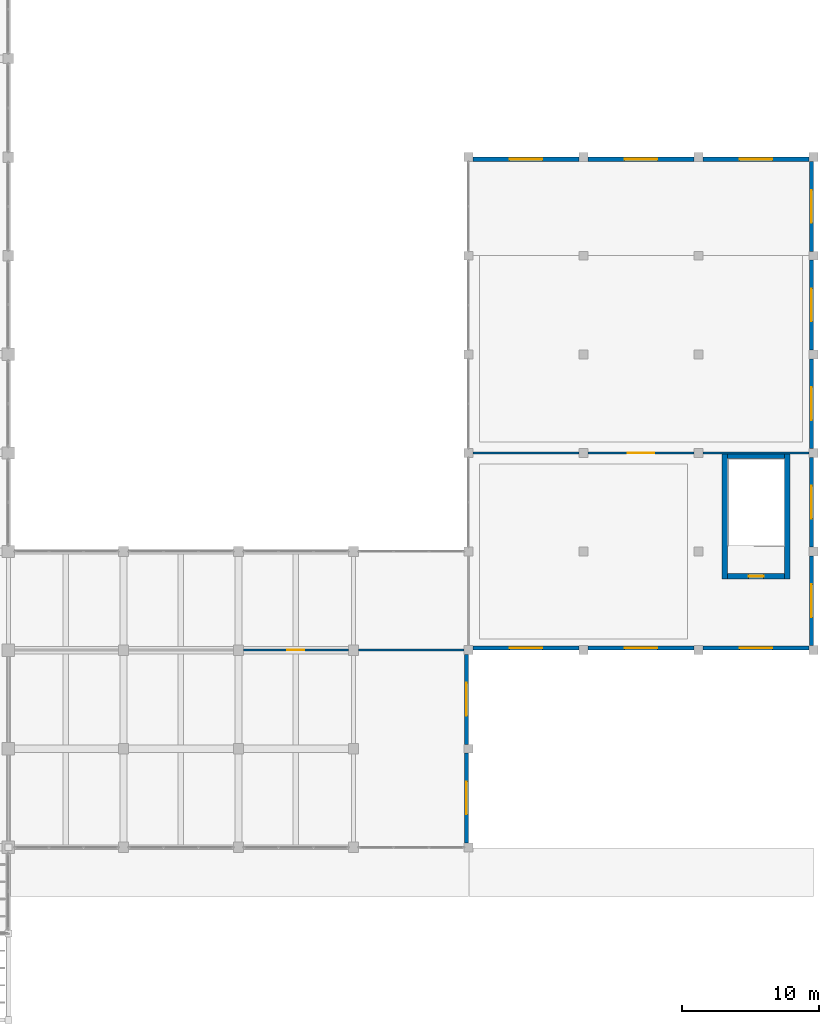
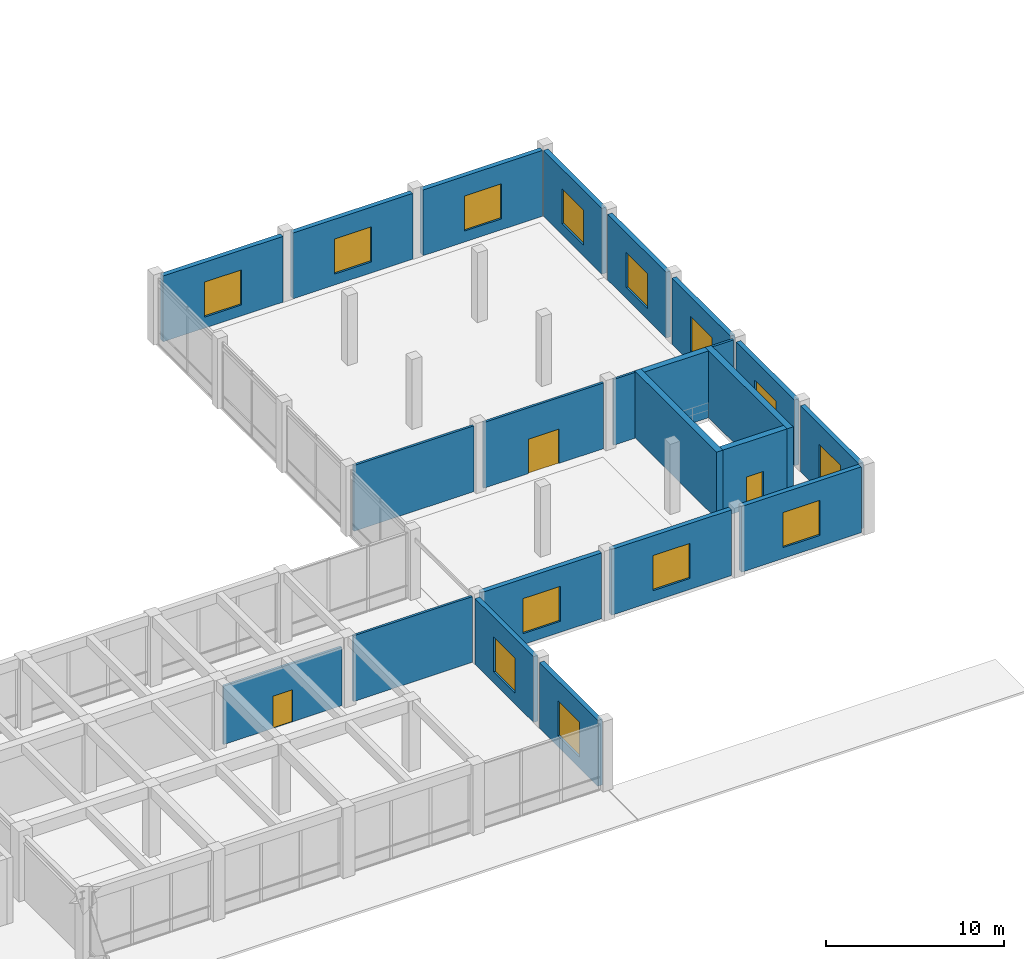
# One storey, part 40 of 52: 22 walls, 13 windows, 3 doors, 16 openings.
"""IFC4 building model written with IfcOpenShell, lengths in metres."""

from ifc_helpers import new_model, si_unit, direction, frame, frame_2d, origin, place, context, subcontext, project, spatial, rectangle, extrude, material, layer, layer_set, type_object, element, fill, save


model = new_model("IFC4")

# Units and contexts
model_context = context("Model", 3, precision=1e-05, world=origin(), true_north=direction((0.0, 1.0)))
body_context = subcontext(model_context, "Body", "Model", "MODEL_VIEW")
ifc_project = project(units=[si_unit("LENGTHUNIT", "METRE"), si_unit("AREAUNIT", "SQUARE_METRE"), si_unit("VOLUMEUNIT", "CUBIC_METRE"), si_unit("PLANEANGLEUNIT", "RADIAN"), si_unit("MASSUNIT", "GRAM", prefix="KILO")], contexts=[model_context])

# Site, building, storey
site_placement = place(None, origin())
site = spatial("IfcSite", under=ifc_project, at=site_placement, CompositionType="ELEMENT")
building_placement = place(site_placement, origin())
building = spatial("IfcBuilding", under=site, at=building_placement, Name="Kenerak Square Central Library", CompositionType="ELEMENT")
storey_placement = place(building_placement, frame((0.0, 0.0, 4.800048828125)))
storey = spatial("IfcBuildingStorey", under=building, at=storey_placement, Name="L01", CompositionType="ELEMENT", Elevation=4.800048828125)

# Wall, opening, door
ifc_material_1 = material(Name="Precast concrete C40/50", Category="concrete")
ifc_layer_1 = layer(ifc_material_1, 0.14990234375)
ifc_layer_set_1 = layer_set([ifc_layer_1], Name="Precast concrete C40/50")
wall_type_1 = type_object("IfcWallType", Name="Acoustic Blockwork Partition IW-150 C40/50", PredefinedType="PARTITIONING", material=ifc_layer_set_1)
wall_1_placement = place(storey_placement, frame((134.375, 31.199951171875, 0.0), z_axis=(0.0, 0.0, 1.0), x_axis=(1.0, 0.0, 0.0)))
wall_1 = element("IfcWall", 1, at=wall_1_placement, inside=storey, type_object=wall_type_1, Name="Interior Wall IW-L01-04-N2-B3", PredefinedType="PARTITIONING", context=body_context, shape_type="SweptSolid", body=[
    extrude(rectangle(XDim=7.64990234375, YDim=0.14990234375, at=frame_2d((3.824951171875, 0.0))), origin(), (0.0, 0.0, 1.0), 4.0),
])
opening_1_placement = place(wall_1_placement, frame((3.199951171875, 0.0, 0.0)))
opening_1 = element("IfcOpeningElement", 2, at=opening_1_placement, cuts=wall_1, Name="Opening ID-06", PredefinedType="OPENING", context=body_context, shape_type="SweptSolid", body=[
    extrude(rectangle(XDim=1.25, YDim=2.199951171875, at=frame_2d((0.625, 1.10009765625))), frame((0.0, 0.0849609375, 0.0), z_axis=(0.0, -1.0, 0.0), x_axis=(1.0, 0.0, 0.0)), (0.0, 0.0, 1.0), 0.169921875),
])
ifc_material_2 = material(Name="Chengal hardwood timber SG1", Category="wood")
door_type_1 = type_object("IfcDoorType", Name="Studio Sliding Acoustic Door ID-1250x2200", OperationType="NOTDEFINED", PredefinedType="DOOR", material=ifc_material_2)
door_1_placement = place(opening_1_placement, origin())
door_1 = element("IfcDoor", 3, at=door_1_placement, inside=storey, type_object=door_type_1, Name="Digital Maker and Fabrication Studio Door", OperationType="SLIDING_TO_LEFT", OverallHeight=2.199951171875, OverallWidth=1.25, PredefinedType="DOOR", context=body_context, shape_type="SweptSolid", body=[
    extrude(rectangle(XDim=1.25, YDim=2.199951171875, at=frame_2d((0.625, 1.10009765625))), frame((0.0, 0.02490234375, 0.0), z_axis=(0.0, -1.0, 0.0), x_axis=(1.0, 0.0, 0.0)), (0.0, 0.0, 1.0), 0.050048828125),
])
fill(opening_1, door_1)

# Walls
wall_2_placement = place(storey_placement, frame((142.77490234375, 31.199951171875, 0.0), z_axis=(0.0, 0.0, 1.0), x_axis=(1.0, 0.0, 0.0)))
element("IfcWall", 4, at=wall_2_placement, inside=storey, type_object=wall_type_1, Name="Interior Wall IW-L01-04-N2-B4", PredefinedType="PARTITIONING", context=body_context, shape_type="SweptSolid", body=[
    extrude(rectangle(XDim=7.7001953125, YDim=0.14990234375, at=frame_2d((3.85009765625, 0.0))), origin(), (0.0, 0.0, 1.0), 4.5),
])
wall_3_placement = place(storey_placement, frame((175.675048828125, 45.60009765625, 0.0), z_axis=(0.0, 0.0, 1.0), x_axis=(-1.0, 0.0, 0.0)))
element("IfcWall", 5, at=wall_3_placement, inside=storey, type_object=wall_type_1, Name="Interior Wall IW-L01-07-S1-B1", PredefinedType="PARTITIONING", context=body_context, shape_type="SweptSolid", body=[
    extrude(rectangle(XDim=7.75, YDim=0.14990234375, at=frame_2d((3.875, 0.0))), origin(), (0.0, 0.0, 1.0), 4.5),
])

# Wall, opening, door
wall_4_placement = place(storey_placement, frame((167.27490234375, 45.60009765625, 0.0), z_axis=(0.0, 0.0, 1.0), x_axis=(-1.0, 0.0, 0.0)))
wall_4 = element("IfcWall", 6, at=wall_4_placement, inside=storey, type_object=wall_type_1, Name="Interior Wall IW-L01-07-S1-B2", PredefinedType="PARTITIONING", context=body_context, shape_type="SweptSolid", body=[
    extrude(rectangle(XDim=7.75, YDim=0.14990234375, at=frame_2d((3.875, 0.0))), origin(), (0.0, 0.0, 1.0), 4.5),
])
opening_2_placement = place(wall_4_placement, frame((2.89990234375, 0.0, 0.0)))
opening_2 = element("IfcOpeningElement", 7, at=opening_2_placement, cuts=wall_4, Name="Opening ID-12", PredefinedType="OPENING", context=body_context, shape_type="SweptSolid", body=[
    extrude(rectangle(XDim=1.949951171875, YDim=2.35009765625, at=frame_2d((0.97509765625, 1.175048828125))), frame((0.0, 0.0849609375, 0.0), z_axis=(0.0, -1.0, 0.0), x_axis=(1.0, 0.0, 0.0)), (0.0, 0.0, 1.0), 0.169921875),
])
door_type_2 = type_object("IfcDoorType", Name="Children Hall Double Timber Door ID-1950x2350", OperationType="NOTDEFINED", PredefinedType="DOOR", material=ifc_material_2)
door_2_placement = place(opening_2_placement, origin())
door_2 = element("IfcDoor", 8, at=door_2_placement, inside=storey, type_object=door_type_2, Name="Children Storytelling Amphitheatre and Picture-Book Hall Door", OperationType="DOUBLE_DOOR_SINGLE_SWING", OverallHeight=2.35009765625, OverallWidth=1.949951171875, PredefinedType="DOOR", context=body_context, shape_type="SweptSolid", body=[
    extrude(rectangle(XDim=1.949951171875, YDim=2.35009765625, at=frame_2d((0.97509765625, 1.175048828125))), frame((0.0, 0.02490234375, 0.0), z_axis=(0.0, -1.0, 0.0), x_axis=(1.0, 0.0, 0.0)), (0.0, 0.0, 1.0), 0.050048828125),
])
fill(opening_2, door_2)

# Wall
wall_5_placement = place(storey_placement, frame((158.875, 45.60009765625, 0.0), z_axis=(0.0, 0.0, 1.0), x_axis=(-1.0, 0.0, 0.0)))
element("IfcWall", 9, at=wall_5_placement, inside=storey, type_object=wall_type_1, Name="Interior Wall IW-L01-07-S1-B3", PredefinedType="PARTITIONING", context=body_context, shape_type="SweptSolid", body=[
    extrude(rectangle(XDim=7.75, YDim=0.14990234375, at=frame_2d((3.875, 0.0))), origin(), (0.0, 0.0, 1.0), 4.5),
])

# Wall, opening, window
ifc_material_3 = material(Name="Concrete C40/50", Category="concrete")
ifc_layer_2 = layer(ifc_material_3, 0.300048828125)
ifc_layer_set_2 = layer_set([ifc_layer_2], Name="Concrete C40/50")
wall_type_2 = type_object("IfcWallType", Name="Board-Marked Brutalist Facade Wall EW-300 C40/50", PredefinedType="SOLIDWALL", material=ifc_layer_set_2)
wall_6_placement = place(storey_placement, frame((151.125, 67.050048828125, 0.0), z_axis=(0.0, 0.0, 1.0), x_axis=(1.0, 0.0, 0.0)))
wall_6 = element("IfcWall", 10, at=wall_6_placement, inside=storey, type_object=wall_type_2, Name="Exterior Facade Wall L01 0129", PredefinedType="SOLIDWALL", context=body_context, shape_type="SweptSolid", body=[
    extrude(rectangle(XDim=7.75, YDim=0.300048828125, at=frame_2d((3.875, 0.0))), origin(), (0.0, 0.0, 1.0), 4.5),
])
opening_3_placement = place(wall_6_placement, frame((2.675048828125, 0.0, 0.75)))
opening_3 = element("IfcOpeningElement", 11, at=opening_3_placement, cuts=wall_6, Name="Opening W-13", PredefinedType="OPENING", context=body_context, shape_type="SweptSolid", body=[
    extrude(rectangle(XDim=2.39990234375, YDim=2.39990234375, at=frame_2d((1.199951171875, 1.199951171875))), frame((0.0, 0.159912109375, 0.0), z_axis=(0.0, -1.0, 0.0), x_axis=(1.0, 0.0, 0.0)), (0.0, 0.0, 1.0), 0.320068359375),
])
ifc_material_4 = material(Name="Solar-control low-E laminated double glazing", Category="glass")
window_type = type_object("IfcWindowType", Name="Courtyard Square Window W-13 2400x2400", PartitioningType="SINGLE_PANEL", PredefinedType="WINDOW", material=ifc_material_4)
window_1_placement = place(opening_3_placement, origin())
window_1 = element("IfcWindow", 12, at=window_1_placement, inside=storey, type_object=window_type, Name="Window W-13 L01 0118", OverallHeight=2.39990234375, OverallWidth=2.39990234375, PartitioningType="SINGLE_PANEL", PredefinedType="WINDOW", context=body_context, shape_type="SweptSolid", body=[
    extrude(rectangle(XDim=2.39990234375, YDim=2.39990234375, at=frame_2d((1.199951171875, 1.199951171875))), frame((0.0, 0.030029296875, 0.0), z_axis=(0.0, -1.0, 0.0), x_axis=(1.0, 0.0, 0.0)), (0.0, 0.0, 1.0), 0.06005859375),
])
fill(opening_3, window_1)

wall_7_placement = place(storey_placement, frame((159.52490234375, 67.050048828125, 0.0), z_axis=(0.0, 0.0, 1.0), x_axis=(1.0, 0.0, 0.0)))
wall_7 = element("IfcWall", 13, at=wall_7_placement, inside=storey, type_object=wall_type_2, Name="Exterior Facade Wall L01 0130", PredefinedType="SOLIDWALL", context=body_context, shape_type="SweptSolid", body=[
    extrude(rectangle(XDim=7.75, YDim=0.300048828125, at=frame_2d((3.875, 0.0))), origin(), (0.0, 0.0, 1.0), 4.5),
])
opening_4_placement = place(wall_7_placement, frame((2.675048828125, 0.0, 0.75)))
opening_4 = element("IfcOpeningElement", 14, at=opening_4_placement, cuts=wall_7, Name="Opening W-13", PredefinedType="OPENING", context=body_context, shape_type="SweptSolid", body=[
    extrude(rectangle(XDim=2.39990234375, YDim=2.39990234375, at=frame_2d((1.199951171875, 1.199951171875))), frame((0.0, 0.159912109375, 0.0), z_axis=(0.0, -1.0, 0.0), x_axis=(1.0, 0.0, 0.0)), (0.0, 0.0, 1.0), 0.320068359375),
])
window_2_placement = place(opening_4_placement, origin())
window_2 = element("IfcWindow", 15, at=window_2_placement, inside=storey, type_object=window_type, Name="Window W-13 L01 0119", OverallHeight=2.39990234375, OverallWidth=2.39990234375, PartitioningType="SINGLE_PANEL", PredefinedType="WINDOW", context=body_context, shape_type="SweptSolid", body=[
    extrude(rectangle(XDim=2.39990234375, YDim=2.39990234375, at=frame_2d((1.199951171875, 1.199951171875))), frame((0.0, 0.030029296875, 0.0), z_axis=(0.0, -1.0, 0.0), x_axis=(1.0, 0.0, 0.0)), (0.0, 0.0, 1.0), 0.06005859375),
])
fill(opening_4, window_2)

wall_8_placement = place(storey_placement, frame((167.925048828125, 67.050048828125, 0.0), z_axis=(0.0, 0.0, 1.0), x_axis=(1.0, 0.0, 0.0)))
wall_8 = element("IfcWall", 16, at=wall_8_placement, inside=storey, type_object=wall_type_2, Name="Exterior Facade Wall L01 0131", PredefinedType="SOLIDWALL", context=body_context, shape_type="SweptSolid", body=[
    extrude(rectangle(XDim=7.75, YDim=0.300048828125, at=frame_2d((3.875, 0.0))), origin(), (0.0, 0.0, 1.0), 4.5),
])
opening_5_placement = place(wall_8_placement, frame((2.675048828125, 0.0, 0.75)))
opening_5 = element("IfcOpeningElement", 17, at=opening_5_placement, cuts=wall_8, Name="Opening W-13", PredefinedType="OPENING", context=body_context, shape_type="SweptSolid", body=[
    extrude(rectangle(XDim=2.39990234375, YDim=2.39990234375, at=frame_2d((1.199951171875, 1.199951171875))), frame((0.0, 0.159912109375, 0.0), z_axis=(0.0, -1.0, 0.0), x_axis=(1.0, 0.0, 0.0)), (0.0, 0.0, 1.0), 0.320068359375),
])
window_3_placement = place(opening_5_placement, origin())
window_3 = element("IfcWindow", 18, at=window_3_placement, inside=storey, type_object=window_type, Name="Window W-13 L01 0120", OverallHeight=2.39990234375, OverallWidth=2.39990234375, PartitioningType="SINGLE_PANEL", PredefinedType="WINDOW", context=body_context, shape_type="SweptSolid", body=[
    extrude(rectangle(XDim=2.39990234375, YDim=2.39990234375, at=frame_2d((1.199951171875, 1.199951171875))), frame((0.0, 0.030029296875, 0.0), z_axis=(0.0, -1.0, 0.0), x_axis=(1.0, 0.0, 0.0)), (0.0, 0.0, 1.0), 0.06005859375),
])
fill(opening_5, window_3)

wall_9_placement = place(storey_placement, frame((175.85009765625, 66.875, 0.0), z_axis=(0.0, 0.0, 1.0), x_axis=(0.0, -1.0, 0.0)))
wall_9 = element("IfcWall", 19, at=wall_9_placement, inside=storey, type_object=wall_type_2, Name="Exterior Facade Wall L01 0132", PredefinedType="SOLIDWALL", context=body_context, shape_type="SweptSolid", body=[
    extrude(rectangle(XDim=6.550048828125, YDim=0.300048828125, at=frame_2d((3.27490234375, 0.0))), origin(), (0.0, 0.0, 1.0), 4.5),
])
opening_6_placement = place(wall_9_placement, frame((2.074951171875, 0.0, 0.75)))
opening_6 = element("IfcOpeningElement", 20, at=opening_6_placement, cuts=wall_9, Name="Opening W-13", PredefinedType="OPENING", context=body_context, shape_type="SweptSolid", body=[
    extrude(rectangle(XDim=2.39990234375, YDim=2.39990234375, at=frame_2d((1.199951171875, 1.199951171875))), frame((0.0, 0.159912109375, 0.0), z_axis=(0.0, -1.0, 0.0), x_axis=(1.0, 0.0, 0.0)), (0.0, 0.0, 1.0), 0.320068359375),
])
window_4_placement = place(opening_6_placement, origin())
window_4 = element("IfcWindow", 21, at=window_4_placement, inside=storey, type_object=window_type, Name="Window W-13 L01 0121", OverallHeight=2.39990234375, OverallWidth=2.39990234375, PartitioningType="SINGLE_PANEL", PredefinedType="WINDOW", context=body_context, shape_type="SweptSolid", body=[
    extrude(rectangle(XDim=2.39990234375, YDim=2.39990234375, at=frame_2d((1.199951171875, 1.199951171875))), frame((0.0, 0.030029296875, 0.0), z_axis=(0.0, -1.0, 0.0), x_axis=(1.0, 0.0, 0.0)), (0.0, 0.0, 1.0), 0.06005859375),
])
fill(opening_6, window_4)

wall_10_placement = place(storey_placement, frame((175.85009765625, 59.675048828125, 0.0), z_axis=(0.0, 0.0, 1.0), x_axis=(0.0, -1.0, 0.0)))
wall_10 = element("IfcWall", 22, at=wall_10_placement, inside=storey, type_object=wall_type_2, Name="Exterior Facade Wall L01 0133", PredefinedType="SOLIDWALL", context=body_context, shape_type="SweptSolid", body=[
    extrude(rectangle(XDim=6.550048828125, YDim=0.300048828125, at=frame_2d((3.27490234375, 0.0))), origin(), (0.0, 0.0, 1.0), 4.5),
])
opening_7_placement = place(wall_10_placement, frame((2.074951171875, 0.0, 0.75)))
opening_7 = element("IfcOpeningElement", 23, at=opening_7_placement, cuts=wall_10, Name="Opening W-13", PredefinedType="OPENING", context=body_context, shape_type="SweptSolid", body=[
    extrude(rectangle(XDim=2.39990234375, YDim=2.39990234375, at=frame_2d((1.199951171875, 1.199951171875))), frame((0.0, 0.159912109375, 0.0), z_axis=(0.0, -1.0, 0.0), x_axis=(1.0, 0.0, 0.0)), (0.0, 0.0, 1.0), 0.320068359375),
])
window_5_placement = place(opening_7_placement, origin())
window_5 = element("IfcWindow", 24, at=window_5_placement, inside=storey, type_object=window_type, Name="Window W-13 L01 0122", OverallHeight=2.39990234375, OverallWidth=2.39990234375, PartitioningType="SINGLE_PANEL", PredefinedType="WINDOW", context=body_context, shape_type="SweptSolid", body=[
    extrude(rectangle(XDim=2.39990234375, YDim=2.39990234375, at=frame_2d((1.199951171875, 1.199951171875))), frame((0.0, 0.030029296875, 0.0), z_axis=(0.0, -1.0, 0.0), x_axis=(1.0, 0.0, 0.0)), (0.0, 0.0, 1.0), 0.06005859375),
])
fill(opening_7, window_5)

wall_11_placement = place(storey_placement, frame((175.85009765625, 52.47509765625, 0.0), z_axis=(0.0, 0.0, 1.0), x_axis=(0.0, -1.0, 0.0)))
wall_11 = element("IfcWall", 25, at=wall_11_placement, inside=storey, type_object=wall_type_2, Name="Exterior Facade Wall L01 0134", PredefinedType="SOLIDWALL", context=body_context, shape_type="SweptSolid", body=[
    extrude(rectangle(XDim=6.550048828125, YDim=0.300048828125, at=frame_2d((3.27490234375, 0.0))), origin(), (0.0, 0.0, 1.0), 4.5),
])
opening_8_placement = place(wall_11_placement, frame((2.074951171875, 0.0, 0.75)))
opening_8 = element("IfcOpeningElement", 26, at=opening_8_placement, cuts=wall_11, Name="Opening W-13", PredefinedType="OPENING", context=body_context, shape_type="SweptSolid", body=[
    extrude(rectangle(XDim=2.39990234375, YDim=2.39990234375, at=frame_2d((1.199951171875, 1.199951171875))), frame((0.0, 0.159912109375, 0.0), z_axis=(0.0, -1.0, 0.0), x_axis=(1.0, 0.0, 0.0)), (0.0, 0.0, 1.0), 0.320068359375),
])
window_6_placement = place(opening_8_placement, origin())
window_6 = element("IfcWindow", 27, at=window_6_placement, inside=storey, type_object=window_type, Name="Window W-13 L01 0123", OverallHeight=2.39990234375, OverallWidth=2.39990234375, PartitioningType="SINGLE_PANEL", PredefinedType="WINDOW", context=body_context, shape_type="SweptSolid", body=[
    extrude(rectangle(XDim=2.39990234375, YDim=2.39990234375, at=frame_2d((1.199951171875, 1.199951171875))), frame((0.0, 0.030029296875, 0.0), z_axis=(0.0, -1.0, 0.0), x_axis=(1.0, 0.0, 0.0)), (0.0, 0.0, 1.0), 0.06005859375),
])
fill(opening_8, window_6)

wall_12_placement = place(storey_placement, frame((175.85009765625, 45.27490234375, 0.0), z_axis=(0.0, 0.0, 1.0), x_axis=(0.0, -1.0, 0.0)))
wall_12 = element("IfcWall", 28, at=wall_12_placement, inside=storey, type_object=wall_type_2, Name="Exterior Facade Wall L01 0135", PredefinedType="SOLIDWALL", context=body_context, shape_type="SweptSolid", body=[
    extrude(rectangle(XDim=6.5498046875, YDim=0.300048828125, at=frame_2d((3.27490234375, 0.0))), origin(), (0.0, 0.0, 1.0), 4.5),
])
opening_9_placement = place(wall_12_placement, frame((2.074951171875, 0.0, 0.75)))
opening_9 = element("IfcOpeningElement", 29, at=opening_9_placement, cuts=wall_12, Name="Opening W-13", PredefinedType="OPENING", context=body_context, shape_type="SweptSolid", body=[
    extrude(rectangle(XDim=2.39990234375, YDim=2.39990234375, at=frame_2d((1.199951171875, 1.199951171875))), frame((0.0, 0.159912109375, 0.0), z_axis=(0.0, -1.0, 0.0), x_axis=(1.0, 0.0, 0.0)), (0.0, 0.0, 1.0), 0.320068359375),
])
window_7_placement = place(opening_9_placement, origin())
window_7 = element("IfcWindow", 30, at=window_7_placement, inside=storey, type_object=window_type, Name="Window W-13 L01 0124", OverallHeight=2.39990234375, OverallWidth=2.39990234375, PartitioningType="SINGLE_PANEL", PredefinedType="WINDOW", context=body_context, shape_type="SweptSolid", body=[
    extrude(rectangle(XDim=2.39990234375, YDim=2.39990234375, at=frame_2d((1.199951171875, 1.199951171875))), frame((0.0, 0.030029296875, 0.0), z_axis=(0.0, -1.0, 0.0), x_axis=(1.0, 0.0, 0.0)), (0.0, 0.0, 1.0), 0.06005859375),
])
fill(opening_9, window_7)

wall_13_placement = place(storey_placement, frame((175.85009765625, 38.074951171875, 0.0), z_axis=(0.0, 0.0, 1.0), x_axis=(0.0, -1.0, 0.0)))
wall_13 = element("IfcWall", 31, at=wall_13_placement, inside=storey, type_object=wall_type_2, Name="Exterior Facade Wall L01 0136", PredefinedType="SOLIDWALL", context=body_context, shape_type="SweptSolid", body=[
    extrude(rectangle(XDim=6.550048828125, YDim=0.300048828125, at=frame_2d((3.27490234375, 0.0))), origin(), (0.0, 0.0, 1.0), 4.5),
])
opening_10_placement = place(wall_13_placement, frame((2.074951171875, 0.0, 0.75)))
opening_10 = element("IfcOpeningElement", 32, at=opening_10_placement, cuts=wall_13, Name="Opening W-13", PredefinedType="OPENING", context=body_context, shape_type="SweptSolid", body=[
    extrude(rectangle(XDim=2.39990234375, YDim=2.39990234375, at=frame_2d((1.199951171875, 1.199951171875))), frame((0.0, 0.159912109375, 0.0), z_axis=(0.0, -1.0, 0.0), x_axis=(1.0, 0.0, 0.0)), (0.0, 0.0, 1.0), 0.320068359375),
])
window_8_placement = place(opening_10_placement, origin())
window_8 = element("IfcWindow", 33, at=window_8_placement, inside=storey, type_object=window_type, Name="Window W-13 L01 0125", OverallHeight=2.39990234375, OverallWidth=2.39990234375, PartitioningType="SINGLE_PANEL", PredefinedType="WINDOW", context=body_context, shape_type="SweptSolid", body=[
    extrude(rectangle(XDim=2.39990234375, YDim=2.39990234375, at=frame_2d((1.199951171875, 1.199951171875))), frame((0.0, 0.030029296875, 0.0), z_axis=(0.0, -1.0, 0.0), x_axis=(1.0, 0.0, 0.0)), (0.0, 0.0, 1.0), 0.06005859375),
])
fill(opening_10, window_8)

wall_14_placement = place(storey_placement, frame((175.675048828125, 31.35009765625, 0.0), z_axis=(0.0, 0.0, 1.0), x_axis=(-1.0, 0.0, 0.0)))
wall_14 = element("IfcWall", 34, at=wall_14_placement, inside=storey, type_object=wall_type_2, Name="Exterior Facade Wall L01 0137", PredefinedType="SOLIDWALL", context=body_context, shape_type="SweptSolid", body=[
    extrude(rectangle(XDim=7.75, YDim=0.300048828125, at=frame_2d((3.875, 0.0))), origin(), (0.0, 0.0, 1.0), 4.5),
])
opening_11_placement = place(wall_14_placement, frame((2.675048828125, 0.0, 0.75)))
opening_11 = element("IfcOpeningElement", 35, at=opening_11_placement, cuts=wall_14, Name="Opening W-13", PredefinedType="OPENING", context=body_context, shape_type="SweptSolid", body=[
    extrude(rectangle(XDim=2.39990234375, YDim=2.39990234375, at=frame_2d((1.199951171875, 1.199951171875))), frame((0.0, 0.159912109375, 0.0), z_axis=(0.0, -1.0, 0.0), x_axis=(1.0, 0.0, 0.0)), (0.0, 0.0, 1.0), 0.320068359375),
])
window_9_placement = place(opening_11_placement, origin())
window_9 = element("IfcWindow", 36, at=window_9_placement, inside=storey, type_object=window_type, Name="Window W-13 L01 0126", OverallHeight=2.39990234375, OverallWidth=2.39990234375, PartitioningType="SINGLE_PANEL", PredefinedType="WINDOW", context=body_context, shape_type="SweptSolid", body=[
    extrude(rectangle(XDim=2.39990234375, YDim=2.39990234375, at=frame_2d((1.199951171875, 1.199951171875))), frame((0.0, 0.030029296875, 0.0), z_axis=(0.0, -1.0, 0.0), x_axis=(1.0, 0.0, 0.0)), (0.0, 0.0, 1.0), 0.06005859375),
])
fill(opening_11, window_9)

wall_15_placement = place(storey_placement, frame((167.27490234375, 31.35009765625, 0.0), z_axis=(0.0, 0.0, 1.0), x_axis=(-1.0, 0.0, 0.0)))
wall_15 = element("IfcWall", 37, at=wall_15_placement, inside=storey, type_object=wall_type_2, Name="Exterior Facade Wall L01 0138", PredefinedType="SOLIDWALL", context=body_context, shape_type="SweptSolid", body=[
    extrude(rectangle(XDim=7.75, YDim=0.300048828125, at=frame_2d((3.875, 0.0))), origin(), (0.0, 0.0, 1.0), 4.5),
])
opening_12_placement = place(wall_15_placement, frame((2.675048828125, 0.0, 0.75)))
opening_12 = element("IfcOpeningElement", 38, at=opening_12_placement, cuts=wall_15, Name="Opening W-13", PredefinedType="OPENING", context=body_context, shape_type="SweptSolid", body=[
    extrude(rectangle(XDim=2.39990234375, YDim=2.39990234375, at=frame_2d((1.199951171875, 1.199951171875))), frame((0.0, 0.159912109375, 0.0), z_axis=(0.0, -1.0, 0.0), x_axis=(1.0, 0.0, 0.0)), (0.0, 0.0, 1.0), 0.320068359375),
])
window_10_placement = place(opening_12_placement, origin())
window_10 = element("IfcWindow", 39, at=window_10_placement, inside=storey, type_object=window_type, Name="Window W-13 L01 0127", OverallHeight=2.39990234375, OverallWidth=2.39990234375, PartitioningType="SINGLE_PANEL", PredefinedType="WINDOW", context=body_context, shape_type="SweptSolid", body=[
    extrude(rectangle(XDim=2.39990234375, YDim=2.39990234375, at=frame_2d((1.199951171875, 1.199951171875))), frame((0.0, 0.030029296875, 0.0), z_axis=(0.0, -1.0, 0.0), x_axis=(1.0, 0.0, 0.0)), (0.0, 0.0, 1.0), 0.06005859375),
])
fill(opening_12, window_10)

wall_16_placement = place(storey_placement, frame((158.875, 31.35009765625, 0.0), z_axis=(0.0, 0.0, 1.0), x_axis=(-1.0, 0.0, 0.0)))
wall_16 = element("IfcWall", 40, at=wall_16_placement, inside=storey, type_object=wall_type_2, Name="Exterior Facade Wall L01 0139", PredefinedType="SOLIDWALL", context=body_context, shape_type="SweptSolid", body=[
    extrude(rectangle(XDim=7.75, YDim=0.300048828125, at=frame_2d((3.875, 0.0))), origin(), (0.0, 0.0, 1.0), 4.5),
])
opening_13_placement = place(wall_16_placement, frame((2.675048828125, 0.0, 0.75)))
opening_13 = element("IfcOpeningElement", 41, at=opening_13_placement, cuts=wall_16, Name="Opening W-13", PredefinedType="OPENING", context=body_context, shape_type="SweptSolid", body=[
    extrude(rectangle(XDim=2.39990234375, YDim=2.39990234375, at=frame_2d((1.199951171875, 1.199951171875))), frame((0.0, 0.159912109375, 0.0), z_axis=(0.0, -1.0, 0.0), x_axis=(1.0, 0.0, 0.0)), (0.0, 0.0, 1.0), 0.320068359375),
])
window_11_placement = place(opening_13_placement, origin())
window_11 = element("IfcWindow", 42, at=window_11_placement, inside=storey, type_object=window_type, Name="Window W-13 L01 0128", OverallHeight=2.39990234375, OverallWidth=2.39990234375, PartitioningType="SINGLE_PANEL", PredefinedType="WINDOW", context=body_context, shape_type="SweptSolid", body=[
    extrude(rectangle(XDim=2.39990234375, YDim=2.39990234375, at=frame_2d((1.199951171875, 1.199951171875))), frame((0.0, 0.030029296875, 0.0), z_axis=(0.0, -1.0, 0.0), x_axis=(1.0, 0.0, 0.0)), (0.0, 0.0, 1.0), 0.06005859375),
])
fill(opening_13, window_11)

wall_17_placement = place(storey_placement, frame((150.64990234375, 30.875, 0.0), z_axis=(0.0, 0.0, 1.0), x_axis=(0.0, -1.0, 0.0)))
wall_17 = element("IfcWall", 43, at=wall_17_placement, inside=storey, type_object=wall_type_2, Name="Exterior Facade Wall L01 0140", PredefinedType="SOLIDWALL", context=body_context, shape_type="SweptSolid", body=[
    extrude(rectangle(XDim=6.550048828125, YDim=0.300048828125, at=frame_2d((3.27490234375, 0.0))), origin(), (0.0, 0.0, 1.0), 4.5),
])
opening_14_placement = place(wall_17_placement, frame((2.074951171875, 0.0, 0.75)))
opening_14 = element("IfcOpeningElement", 44, at=opening_14_placement, cuts=wall_17, Name="Opening W-13", PredefinedType="OPENING", context=body_context, shape_type="SweptSolid", body=[
    extrude(rectangle(XDim=2.39990234375, YDim=2.39990234375, at=frame_2d((1.199951171875, 1.199951171875))), frame((0.0, 0.159912109375, 0.0), z_axis=(0.0, -1.0, 0.0), x_axis=(1.0, 0.0, 0.0)), (0.0, 0.0, 1.0), 0.320068359375),
])
window_12_placement = place(opening_14_placement, origin())
window_12 = element("IfcWindow", 45, at=window_12_placement, inside=storey, type_object=window_type, Name="Window W-13 L01 0129", OverallHeight=2.39990234375, OverallWidth=2.39990234375, PartitioningType="SINGLE_PANEL", PredefinedType="WINDOW", context=body_context, shape_type="SweptSolid", body=[
    extrude(rectangle(XDim=2.39990234375, YDim=2.39990234375, at=frame_2d((1.199951171875, 1.199951171875))), frame((0.0, 0.030029296875, 0.0), z_axis=(0.0, -1.0, 0.0), x_axis=(1.0, 0.0, 0.0)), (0.0, 0.0, 1.0), 0.06005859375),
])
fill(opening_14, window_12)

wall_18_placement = place(storey_placement, frame((150.64990234375, 23.675048828125, 0.0), z_axis=(0.0, 0.0, 1.0), x_axis=(0.0, -1.0, 0.0)))
wall_18 = element("IfcWall", 46, at=wall_18_placement, inside=storey, type_object=wall_type_2, Name="Exterior Facade Wall L01 0141", PredefinedType="SOLIDWALL", context=body_context, shape_type="SweptSolid", body=[
    extrude(rectangle(XDim=6.550048828125, YDim=0.300048828125, at=frame_2d((3.27490234375, 0.0))), origin(), (0.0, 0.0, 1.0), 4.5),
])
opening_15_placement = place(wall_18_placement, frame((2.074951171875, 0.0, 0.75)))
opening_15 = element("IfcOpeningElement", 47, at=opening_15_placement, cuts=wall_18, Name="Opening W-13", PredefinedType="OPENING", context=body_context, shape_type="SweptSolid", body=[
    extrude(rectangle(XDim=2.39990234375, YDim=2.39990234375, at=frame_2d((1.199951171875, 1.199951171875))), frame((0.0, 0.159912109375, 0.0), z_axis=(0.0, -1.0, 0.0), x_axis=(1.0, 0.0, 0.0)), (0.0, 0.0, 1.0), 0.320068359375),
])
window_13_placement = place(opening_15_placement, origin())
window_13 = element("IfcWindow", 48, at=window_13_placement, inside=storey, type_object=window_type, Name="Window W-13 L01 0130", OverallHeight=2.39990234375, OverallWidth=2.39990234375, PartitioningType="SINGLE_PANEL", PredefinedType="WINDOW", context=body_context, shape_type="SweptSolid", body=[
    extrude(rectangle(XDim=2.39990234375, YDim=2.39990234375, at=frame_2d((1.199951171875, 1.199951171875))), frame((0.0, 0.030029296875, 0.0), z_axis=(0.0, -1.0, 0.0), x_axis=(1.0, 0.0, 0.0)), (0.0, 0.0, 1.0), 0.06005859375),
])
fill(opening_15, window_13)

# Walls
ifc_layer_3 = layer(ifc_material_3, 0.39990234375)
ifc_layer_set_3 = layer_set([ifc_layer_3], Name="Concrete C40/50")
wall_type_3 = type_object("IfcWallType", Name="Core Shear Wall CW-400 C40/50", PredefinedType="SHEAR", material=ifc_layer_set_3)
for number, where, z_axis, x_axis, name in (
    (49, (169.52001953125, 36.39990234375, 0.0), (0.0, 0.0, 1.0), (0.0, 1.0, 0.0), "Core Wall CW-C7 L01 West"),
    (50, (174.080078125, 45.60009765625, 0.0), (0.0, 0.0, 1.0), (0.0, -1.0, 0.0), "Core Wall CW-C7 L01 East"),
):
    element("IfcWall", number, at=place(storey_placement, frame(where, z_axis=z_axis, x_axis=x_axis)), inside=storey, type_object=wall_type_3, Name=name, PredefinedType="SHEAR", context=body_context, shape_type="SweptSolid", body=[
        extrude(rectangle(XDim=9.2001953125, YDim=0.39990234375, at=frame_2d((4.60009765625, 0.0))), origin(), (0.0, 0.0, 1.0), 4.574951171875),
    ])

# Wall, opening, door
wall_19_placement = place(storey_placement, frame((173.8798828125, 36.60009765625, 0.0), z_axis=(0.0, 0.0, 1.0), x_axis=(-1.0, 0.0, 0.0)))
wall_19 = element("IfcWall", 51, at=wall_19_placement, inside=storey, type_object=wall_type_3, Name="Core Wall CW-C7 L01 South", PredefinedType="SHEAR", context=body_context, shape_type="SweptSolid", body=[
    extrude(rectangle(XDim=4.159912109375, YDim=0.39990234375, at=frame_2d((2.080078125, 0.0))), origin(), (0.0, 0.0, 1.0), 4.574951171875),
])
opening_16_placement = place(wall_19_placement, frame((1.530029296875, 0.0, 0.0)))
opening_16 = element("IfcOpeningElement", 52, at=opening_16_placement, cuts=wall_19, Name="Opening D-ST1", PredefinedType="OPENING", context=body_context, shape_type="SweptSolid", body=[
    extrude(rectangle(XDim=1.10009765625, YDim=2.199951171875, at=frame_2d((0.550048828125, 1.10009765625))), frame((0.0, 0.2099609375, 0.0), z_axis=(0.0, -1.0, 0.0), x_axis=(1.0, 0.0, 0.0)), (0.0, 0.0, 1.0), 0.419921875),
])
ifc_material_5 = material(Name="Steel S355", Category="steel")
door_type_3 = type_object("IfcDoorType", Name="Protected Stair Fire Door FD-1100x2200 FD60S", OperationType="NOTDEFINED", PredefinedType="DOOR", material=ifc_material_5)
door_3_placement = place(opening_16_placement, frame((1.10009765625, 0.0, 0.0), z_axis=(0.0, 0.0, 1.0), x_axis=(-1.0, 0.0, 0.0)))
door_3 = element("IfcDoor", 53, at=door_3_placement, inside=storey, type_object=door_type_3, Name="Stair Door ST-07 L01", OperationType="SINGLE_SWING_LEFT", OverallHeight=2.199951171875, OverallWidth=1.10009765625, PredefinedType="DOOR", context=body_context, shape_type="SweptSolid", body=[
    extrude(rectangle(XDim=1.10009765625, YDim=2.199951171875, at=frame_2d((0.550048828125, 1.10009765625))), frame((0.0, 0.02490234375, 0.0), z_axis=(0.0, -1.0, 0.0), x_axis=(1.0, 0.0, 0.0)), (0.0, 0.0, 1.0), 0.050048828125),
])
fill(opening_16, door_3)

# Wall
wall_20_placement = place(storey_placement, frame((169.719970703125, 45.39990234375, 0.0), z_axis=(0.0, 0.0, 1.0), x_axis=(1.0, 0.0, 0.0)))
element("IfcWall", 54, at=wall_20_placement, inside=storey, type_object=wall_type_3, Name="Core Wall CW-C7 L01 North", PredefinedType="SHEAR", context=body_context, shape_type="SweptSolid", body=[
    extrude(rectangle(XDim=4.159912109375, YDim=0.39990234375, at=frame_2d((2.080078125, 0.0))), origin(), (0.0, 0.0, 1.0), 4.574951171875),
])

save(model, "model.ifc")
